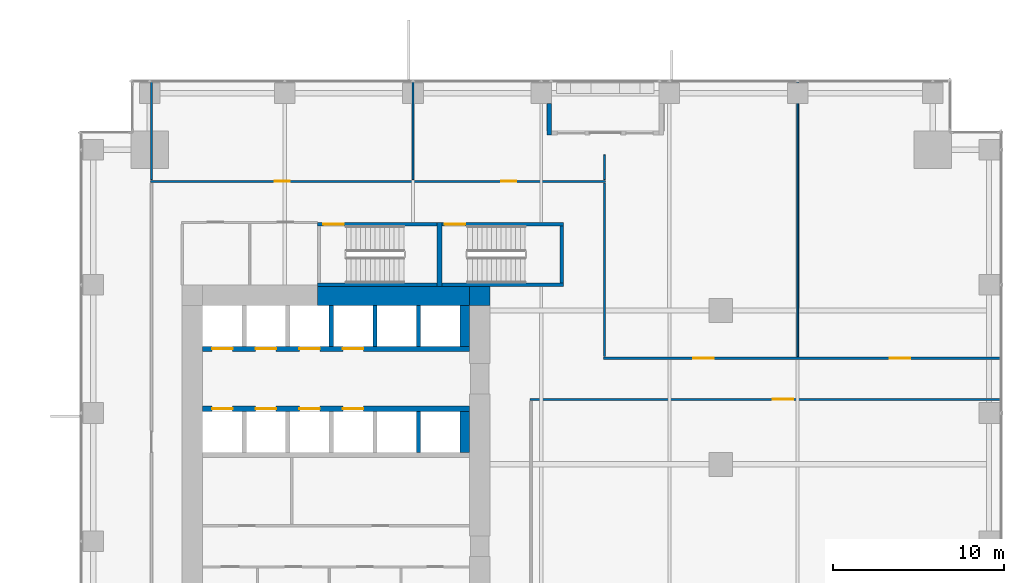
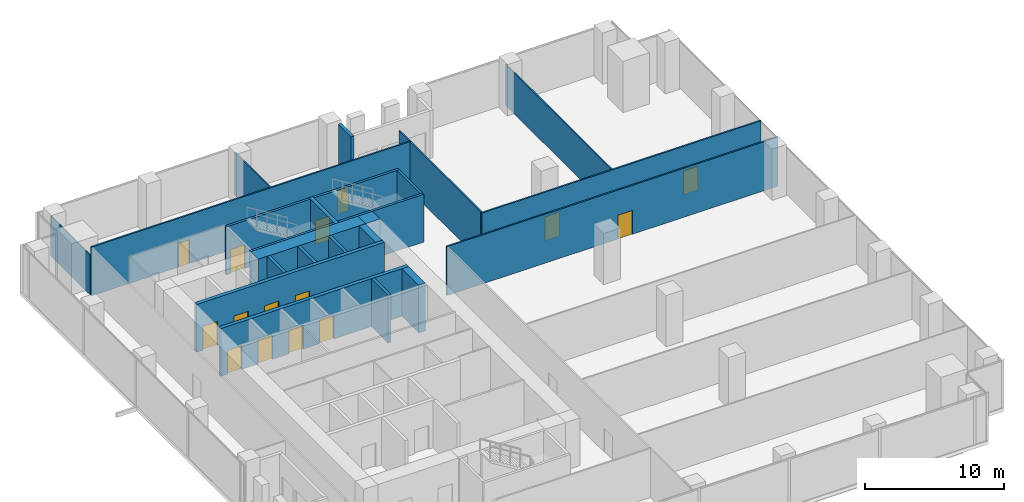
# One storey, part 29 of 33: 25 walls, 15 doors, 15 openings.
"""IFC4 building model written with IfcOpenShell, lengths in metres."""

import ifcopenshell
import ifcopenshell.guid

model = None  # the IFC model being written
_history = None  # IfcOwnerHistory: only IFC2X3 demands one
_inside = {}  # id of a spatial element -> (the spatial element, [elements in it])
_under = {}  # id of a project, library or spatial element -> (it, [spatial elements below it])
_declared = {}  # id of a project -> (the project, [libraries it declares])
_typed = {}  # id of a type object -> (the type object, [elements of that type])
_made_of = {}  # id of a material, layer set ... -> (it, [elements and type objects made of it])


def new_model(schema):
    """Start an empty IFC model of exactly this schema.

    Asked for "IFC4X3", IfcOpenShell would pick the latest addendum, in which some entities
    have other attributes; the version numbers below select the first issue.
    IFC2X3 requires an IfcOwnerHistory on every rooted entity: one is made here for all.
    """
    global model, _history
    if schema == "IFC4X3":
        model = ifcopenshell.file(schema_version=(4, 3, 0, 0))
    else:
        model = ifcopenshell.file(schema=schema)
    _inside.clear()
    _under.clear()
    _declared.clear()
    _typed.clear()
    _made_of.clear()
    _history = None
    if model.schema == "IFC2X3":
        org = make("IfcOrganization", Name="unknown")
        user = make(
            "IfcPersonAndOrganization",
            ThePerson=make("IfcPerson", FamilyName="unknown"),
            TheOrganization=org,
        )
        app = make(
            "IfcApplication",
            ApplicationDeveloper=org,
            Version="unknown",
            ApplicationFullName="unknown",
            ApplicationIdentifier="unknown",
        )
        _history = make(
            "IfcOwnerHistory",
            OwningUser=user,
            OwningApplication=app,
            ChangeAction="ADDED",
            CreationDate=0,
        )
    return model


def make(cls, **values):
    """One entity of the class cls with the attributes given. An attribute that is None is left unset."""
    return model.create_entity(
        cls, **{name: value for name, value in values.items() if value is not None}
    )


def rooted(cls, **values):
    """An entity with a GlobalId (a new one), such as an element, a storey or a relation."""
    return make(cls, GlobalId=ifcopenshell.guid.new(), OwnerHistory=_history, **values)


def si_unit(unit_type, name, prefix=None):
    """IfcSIUnit, for example si_unit("LENGTHUNIT", "METRE", prefix="MILLI")."""
    return make("IfcSIUnit", UnitType=unit_type, Prefix=prefix, Name=name)


def assignment(units):
    """IfcUnitAssignment: the units of a project."""
    return None if units is None else make("IfcUnitAssignment", Units=units)


def point(xyz):
    """IfcCartesianPoint."""
    return None if xyz is None else make("IfcCartesianPoint", Coordinates=xyz)


def direction(xyz):
    """IfcDirection."""
    return None if xyz is None else make("IfcDirection", DirectionRatios=xyz)


def frame(location, z_axis=None, x_axis=None):
    """IfcAxis2Placement3D, a coordinate frame: its origin and axes. An axis left out is left unset."""
    return make(
        "IfcAxis2Placement3D",
        Location=point(location),
        Axis=direction(z_axis),
        RefDirection=direction(x_axis),
    )


def frame_2d(location, x_axis=None):
    """IfcAxis2Placement2D, a coordinate frame in the plane: its origin and x axis."""
    return make(
        "IfcAxis2Placement2D", Location=point(location), RefDirection=direction(x_axis)
    )


def origin():
    """The frame at (0, 0, 0) with its axes left unset."""
    return frame((0.0, 0.0, 0.0))


def place(relative_to, where):
    """IfcLocalPlacement: puts the frame where relative to a parent placement (None: the world)."""
    return make(
        "IfcLocalPlacement", PlacementRelTo=relative_to, RelativePlacement=where
    )


def context(
    kind, dimensions, precision=None, world=None, true_north=None, identifier=None
):
    """IfcGeometricRepresentationContext, for example the 3D "Model" context."""
    return make(
        "IfcGeometricRepresentationContext",
        ContextIdentifier=identifier,
        ContextType=kind,
        CoordinateSpaceDimension=dimensions,
        Precision=precision,
        WorldCoordinateSystem=world,
        TrueNorth=true_north,
    )


def subcontext(parent, identifier, kind, view, scale=None):
    """IfcGeometricRepresentationSubContext, for example "Body" below "Model"."""
    return make(
        "IfcGeometricRepresentationSubContext",
        ContextIdentifier=identifier,
        ContextType=kind,
        ParentContext=parent,
        TargetScale=scale,
        TargetView=view,
    )


def project(units=None, contexts=None):
    """IfcProject with its units and contexts."""
    return rooted(
        "IfcProject",
        Name="project",
        RepresentationContexts=contexts,
        UnitsInContext=assignment(units),
    )


def spatial(cls, under=None, at=None, **own):
    """A site, building, storey or space (cls), placed at a placement, below another one or the project."""
    s = rooted(cls, ObjectPlacement=at, **own)
    if under is not None:
        _under.setdefault(under.id(), (under, []))[1].append(s)
    return s


def profile(cls, at=None, kind="AREA", **sizes):
    """A parametric profile (cls). Its sizes go by their IFC names, for example OverallWidth=200.0."""
    return make(cls, ProfileType=kind, Position=at, **sizes)


def rectangle(**sizes):
    """IfcRectangleProfileDef."""
    return profile("IfcRectangleProfileDef", **sizes)


def extrude(swept, where, along, depth):
    """IfcExtrudedAreaSolid: the profile swept, set in the frame where, extruded along a direction by depth."""
    return make(
        "IfcExtrudedAreaSolid",
        SweptArea=swept,
        Position=where,
        ExtrudedDirection=direction(along),
        Depth=depth,
    )


def shape(context_of_items, identifier, shape_type, items):
    """IfcShapeRepresentation: the items that make up one representation, for example the "Body"."""
    return make(
        "IfcShapeRepresentation",
        ContextOfItems=context_of_items,
        RepresentationIdentifier=identifier,
        RepresentationType=shape_type,
        Items=items,
    )


def source(mapping_origin, context_of_items, identifier, shape_type, items):
    """IfcRepresentationMap: a shape defined once, which mapped items show again and again."""
    return make(
        "IfcRepresentationMap",
        MappingOrigin=mapping_origin,
        MappedRepresentation=shape(context_of_items, identifier, shape_type, items),
    )


def transform(
    local_origin,
    x_axis=None,
    y_axis=None,
    z_axis=None,
    scale=None,
    scale2=None,
    scale3=None,
    uniform=True,
):
    """IfcCartesianTransformationOperator3D, or its non-uniform kind. x_axis, y_axis, z_axis: its Axis1, 2, 3."""
    if uniform:
        return make(
            "IfcCartesianTransformationOperator3D",
            Axis1=direction(x_axis),
            Axis2=direction(y_axis),
            LocalOrigin=point(local_origin),
            Scale=scale,
            Axis3=direction(z_axis),
        )
    return make(
        "IfcCartesianTransformationOperator3DnonUniform",
        Axis1=direction(x_axis),
        Axis2=direction(y_axis),
        LocalOrigin=point(local_origin),
        Scale=scale,
        Axis3=direction(z_axis),
        Scale2=scale2,
        Scale3=scale3,
    )


def mapped(mapping_source, mapping_target):
    """IfcMappedItem: shows the shape of a source again, moved by a transform."""
    return make(
        "IfcMappedItem", MappingSource=mapping_source, MappingTarget=mapping_target
    )


def material(Name=None, Category=None):
    """IfcMaterial."""
    return make("IfcMaterial", Name=Name, Category=Category)


def layer(
    of_material, thickness, ventilated=None, Name=None, Category=None, Priority=None
):
    """IfcMaterialLayer: one layer of a wall or slab, of a material (None: an air gap)."""
    return make(
        "IfcMaterialLayer",
        Material=of_material,
        LayerThickness=thickness,
        IsVentilated=ventilated,
        Name=Name,
        Category=Category,
        Priority=Priority,
    )


def layer_set(layers, Name=None):
    """IfcMaterialLayerSet."""
    return make("IfcMaterialLayerSet", MaterialLayers=layers, LayerSetName=Name)


def made_of(thing, what):
    """Note that an element or type object is made of a material, layer set ...; save() writes the relation."""
    if what is not None:
        _made_of.setdefault(what.id(), (what, []))[1].append(thing)
    return thing


def type_object(cls, material=None, **own):
    """A type object (cls), such as IfcWallType, which elements share."""
    return made_of(rooted(cls, **own), material)


def element(
    cls,
    number,
    at=None,
    inside=None,
    cuts=None,
    type_object=None,
    material=None,
    context=None,
    identifier="Body",
    shape_type=None,
    held_by="IfcProductDefinitionShape",
    body=None,
    shapes=None,
    **own,
):
    """One element of the class cls, such as IfcWall. Its Tag is "e" and its number.

    at: its placement. inside: the storey or other place that contains it. cuts: it is an
    opening in that element (IfcRelVoidsElement). A single representation is given by context,
    identifier, shape_type and body (its items); several are given by shapes. held_by: the class
    of the entity that holds the representations. save() writes the other relations.
    """
    e = rooted(cls, Tag="e%d" % number, ObjectPlacement=at, **own)
    if body is not None:
        shapes = [shape(context, identifier, shape_type, body)]
    if shapes is not None:
        e.Representation = make(held_by, Representations=shapes)
    if inside is not None:
        _inside.setdefault(inside.id(), (inside, []))[1].append(e)
    if cuts is not None:
        rooted(
            "IfcRelVoidsElement", RelatingBuildingElement=cuts, RelatedOpeningElement=e
        )
    if type_object is not None:
        _typed.setdefault(type_object.id(), (type_object, []))[1].append(e)
    return made_of(e, material)


def fill(opening, filler):
    """IfcRelFillsElement: the door or window that sits in an opening."""
    return rooted(
        "IfcRelFillsElement",
        RelatingOpeningElement=opening,
        RelatedBuildingElement=filler,
    )


def aggregate(whole, parts):
    """IfcRelAggregates: a whole, such as a stair, and the parts it consists of."""
    return rooted("IfcRelAggregates", RelatingObject=whole, RelatedObjects=parts)


def save(model, path):
    """Write the relations noted so far, then the file.

    IfcRelAggregates (storeys below a building ...), IfcRelContainedInSpatialStructure (elements
    in a storey), IfcRelDefinesByType, IfcRelAssociatesMaterial and IfcRelDeclares: one each for
    every whole, place, type object, material and project.
    """
    for whole, parts in _under.values():
        aggregate(whole, parts)
    for where, things in _inside.values():
        rooted(
            "IfcRelContainedInSpatialStructure",
            RelatedElements=things,
            RelatingStructure=where,
        )
    for kind, things in _typed.values():
        rooted("IfcRelDefinesByType", RelatedObjects=things, RelatingType=kind)
    for what, things in _made_of.values():
        rooted("IfcRelAssociatesMaterial", RelatedObjects=things, RelatingMaterial=what)
    for by, libraries in _declared.values():
        rooted("IfcRelDeclares", RelatingContext=by, RelatedDefinitions=libraries)
    model.write(path)


model = new_model("IFC4")

# Units and contexts
model_context = context("Model", 3, precision=1e-05, world=origin(), true_north=direction((0.0, 1.0)))
body_context = subcontext(model_context, "Body", "Model", "MODEL_VIEW")
ifc_project = project(units=[si_unit("LENGTHUNIT", "METRE"), si_unit("AREAUNIT", "SQUARE_METRE"), si_unit("VOLUMEUNIT", "CUBIC_METRE"), si_unit("PLANEANGLEUNIT", "RADIAN"), si_unit("MASSUNIT", "GRAM", prefix="KILO")], contexts=[model_context])

# Site, building, storey
site_placement = place(None, origin())
site = spatial("IfcSite", under=ifc_project, at=site_placement, CompositionType="ELEMENT")
building_placement = place(site_placement, origin())
building = spatial("IfcBuilding", under=site, at=building_placement, Name="Khomas Fold Tower", CompositionType="ELEMENT")
storey_placement = place(building_placement, frame((0.0, 0.0, 91.5)))
storey = spatial("IfcBuildingStorey", under=building, at=storey_placement, Name="L19", CompositionType="ELEMENT", Elevation=91.5)

# Walls
ifc_material_1 = material(Name="Concrete C70/85", Category="concrete")
ifc_layer_1 = layer(ifc_material_1, 1.10009765625)
ifc_layer_set_1 = layer_set([ifc_layer_1], Name="Concrete C70/85")
wall_type_1 = type_object("IfcWallType", Name="Core wall 1100", PredefinedType="SHEAR", material=ifc_layer_set_1)
shared_shape_1 = source(origin(), body_context, "Body", "SweptSolid", [
    extrude(rectangle(XDim=8.900146484375, YDim=1.10009765625, at=frame_2d((4.4501953125, 0.0))), origin(), (0.0, 0.0, 1.0), 4.199951171875),
])
wall_1_placement = place(storey_placement, frame((13.89990234375, 41.35009765625, 0.0), z_axis=(0.0, 0.0, 1.0), x_axis=(1.0, 0.0, 0.0)))
element("IfcWall", 1, at=wall_1_placement, inside=storey, type_object=wall_type_1, Name="Core wall CW-L-N-B2-1", PredefinedType="SHEAR", context=body_context, shape_type="MappedRepresentation", body=[
    mapped(shared_shape_1, transform((0.0, 0.0, 0.0))),
])
ifc_material_2 = material(Name="Concrete C70/85", Category="concrete")
ifc_layer_2 = layer(ifc_material_2, 1.10009765625)
ifc_layer_set_2 = layer_set([ifc_layer_2], Name="Concrete C70/85")
wall_type_2 = type_object("IfcWallType", Name="Core corner wall 1100", PredefinedType="SHEAR", material=ifc_layer_set_2)
shared_shape_2 = source(origin(), body_context, "Body", "SweptSolid", [
    extrude(rectangle(XDim=1.199951171875, YDim=1.10009765625, at=frame_2d((0.60009765625, 0.0))), origin(), (0.0, 0.0, 1.0), 4.199951171875),
])
wall_2_placement = place(storey_placement, frame((22.800048828125, 41.35009765625, 0.0), z_axis=(0.0, 0.0, 1.0), x_axis=(1.0, 0.0, 0.0)))
element("IfcWall", 2, at=wall_2_placement, inside=storey, type_object=wall_type_2, Name="Core wall CW-L-NE-B2", PredefinedType="SHEAR", context=body_context, shape_type="MappedRepresentation", body=[
    mapped(shared_shape_2, transform((0.0, 0.0, 0.0))),
])

# Wall, opening, door
ifc_material_3 = material(Name="Concrete C50/60", Category="concrete")
ifc_layer_3 = layer(ifc_material_3, 0.199951171875)
ifc_layer_set_3 = layer_set([ifc_layer_3], Name="Concrete C50/60")
wall_type_3 = type_object("IfcWallType", Name="Stair wall 200", PredefinedType="SHEAR", material=ifc_layer_set_3)
shared_shape_3 = source(origin(), body_context, "Body", "SweptSolid", [
    extrude(rectangle(XDim=7.0, YDim=0.199951171875, at=frame_2d((3.5, 0.0))), origin(), (0.0, 0.0, 1.0), 4.199951171875),
])
wall_3_placement = place(storey_placement, frame((13.89990234375, 45.550048828125, 0.0), z_axis=(0.0, 0.0, 1.0), x_axis=(1.0, 0.0, 0.0)))
wall_3 = element("IfcWall", 3, at=wall_3_placement, inside=storey, type_object=wall_type_3, Name="Stair wall SW-ST1-N", PredefinedType="SHEAR", context=body_context, shape_type="MappedRepresentation", body=[
    mapped(shared_shape_3, transform((0.0, 0.0, 0.0))),
])
shared_shape_4 = source(origin(), body_context, "Body", "SweptSolid", [
    extrude(rectangle(XDim=1.199951171875, YDim=2.10009765625, at=frame_2d((0.60009765625, 1.050048828125))), frame((0.0, 0.10986328125, 0.0), z_axis=(0.0, -1.0, 0.0), x_axis=(1.0, 0.0, 0.0)), (0.0, 0.0, 1.0), 0.219970703125),
])
opening_1_placement = place(wall_3_placement, frame((0.35009765625, 0.0, 0.0)))
opening_1 = element("IfcOpeningElement", 4, at=opening_1_placement, cuts=wall_3, Name="Opening SD-ST1", PredefinedType="OPENING", context=body_context, shape_type="MappedRepresentation", body=[
    mapped(shared_shape_4, transform((0.0, 0.0, 0.0))),
])
ifc_material_4 = material(Name="Steel door leaf", Category="steel")
door_type_1 = type_object("IfcDoorType", Name="Stair door 1200x2100 left-hand", OperationType="SINGLE_SWING_LEFT", PredefinedType="DOOR", material=ifc_material_4)
shared_shape_5 = source(origin(), body_context, "Body", "SweptSolid", [
    extrude(rectangle(XDim=1.199951171875, YDim=2.10009765625, at=frame_2d((0.60009765625, 1.050048828125))), frame((0.0, 0.02490234375, 0.0), z_axis=(0.0, -1.0, 0.0), x_axis=(1.0, 0.0, 0.0)), (0.0, 0.0, 1.0), 0.050048828125),
])
door_1_placement = place(opening_1_placement, origin())
door_1 = element("IfcDoor", 5, at=door_1_placement, inside=storey, type_object=door_type_1, Name="Stair door", OperationType="SINGLE_SWING_LEFT", OverallHeight=2.10009765625, OverallWidth=1.199951171875, PredefinedType="DOOR", context=body_context, shape_type="MappedRepresentation", body=[
    mapped(shared_shape_5, transform((0.0, 0.0, 0.0))),
])
fill(opening_1, door_1)

# Wall
wall_4_placement = place(storey_placement, frame((13.89990234375, 42.0, 0.0), z_axis=(0.0, 0.0, 1.0), x_axis=(1.0, 0.0, 0.0)))
element("IfcWall", 6, at=wall_4_placement, inside=storey, type_object=wall_type_3, Name="Stair wall SW-ST1-S", PredefinedType="SHEAR", context=body_context, shape_type="MappedRepresentation", body=[
    mapped(shared_shape_3, transform((0.0, 0.0, 0.0))),
])

# Wall, opening, door
shared_shape_6 = source(origin(), body_context, "Body", "SweptSolid", [
    extrude(rectangle(XDim=7.10009765625, YDim=0.199951171875, at=frame_2d((3.550048828125, 0.0))), origin(), (0.0, 0.0, 1.0), 4.199951171875),
])
wall_5_placement = place(storey_placement, frame((21.199951171875, 45.550048828125, 0.0), z_axis=(0.0, 0.0, 1.0), x_axis=(1.0, 0.0, 0.0)))
wall_5 = element("IfcWall", 7, at=wall_5_placement, inside=storey, type_object=wall_type_3, Name="Stair wall SW-ST3-N", PredefinedType="SHEAR", context=body_context, shape_type="MappedRepresentation", body=[
    mapped(shared_shape_6, transform((0.0, 0.0, 0.0))),
])
opening_2_placement = place(wall_5_placement, frame((0.14990234375, 0.0, 0.0)))
opening_2 = element("IfcOpeningElement", 8, at=opening_2_placement, cuts=wall_5, Name="Opening SD-ST3", PredefinedType="OPENING", context=body_context, shape_type="MappedRepresentation", body=[
    mapped(shared_shape_4, transform((0.0, 0.0, 0.0))),
])
door_2_placement = place(opening_2_placement, origin())
door_2 = element("IfcDoor", 9, at=door_2_placement, inside=storey, type_object=door_type_1, Name="Stair door", OperationType="SINGLE_SWING_LEFT", OverallHeight=2.10009765625, OverallWidth=1.199951171875, PredefinedType="DOOR", context=body_context, shape_type="MappedRepresentation", body=[
    mapped(shared_shape_5, transform((0.0, 0.0, 0.0))),
])
fill(opening_2, door_2)

# Walls
wall_6_placement = place(storey_placement, frame((21.199951171875, 42.0, 0.0), z_axis=(0.0, 0.0, 1.0), x_axis=(1.0, 0.0, 0.0)))
element("IfcWall", 10, at=wall_6_placement, inside=storey, type_object=wall_type_3, Name="Stair wall SW-ST3-S", PredefinedType="SHEAR", context=body_context, shape_type="MappedRepresentation", body=[
    mapped(shared_shape_6, transform((0.0, 0.0, 0.0))),
])
ifc_material_5 = material(Name="Concrete C50/60", Category="concrete")
ifc_layer_4 = layer(ifc_material_5, 0.300048828125)
ifc_layer_set_4 = layer_set([ifc_layer_4], Name="Concrete C50/60")
wall_type_4 = type_object("IfcWallType", Name="Stair wall 300", PredefinedType="SHEAR", material=ifc_layer_set_4)
shared_shape_7 = source(origin(), body_context, "Body", "SweptSolid", [
    extrude(rectangle(XDim=3.75, YDim=0.300048828125, at=frame_2d((1.875, 0.0))), origin(), (0.0, 0.0, 1.0), 4.199951171875),
])
wall_7_placement = place(storey_placement, frame((21.050048828125, 41.89990234375, 0.0), z_axis=(0.0, 0.0, 1.0), x_axis=(0.0, 1.0, 0.0)))
element("IfcWall", 11, at=wall_7_placement, inside=storey, type_object=wall_type_4, Name="Stair wall SW-ST1-E", PredefinedType="SHEAR", context=body_context, shape_type="MappedRepresentation", body=[
    mapped(shared_shape_7, transform((0.0, 0.0, 0.0))),
])
shared_shape_8 = source(origin(), body_context, "Body", "SweptSolid", [
    extrude(rectangle(XDim=3.349853515625, YDim=0.199951171875, at=frame_2d((1.6748046875, 0.0))), origin(), (0.0, 0.0, 1.0), 4.199951171875),
])
wall_8_placement = place(storey_placement, frame((28.199951171875, 42.10009765625, 0.0), z_axis=(0.0, 0.0, 1.0), x_axis=(0.0, 1.0, 0.0)))
element("IfcWall", 12, at=wall_8_placement, inside=storey, type_object=wall_type_3, Name="Stair wall SW-ST3-E", PredefinedType="SHEAR", context=body_context, shape_type="MappedRepresentation", body=[
    mapped(shared_shape_8, transform((0.0, 0.0, 0.0))),
])

# Wall, openings, doors
ifc_material_6 = material(Name="Concrete C50/60", Category="concrete")
ifc_layer_5 = layer(ifc_material_6, 0.300048828125)
ifc_layer_set_5 = layer_set([ifc_layer_5], Name="Concrete C50/60")
wall_type_5 = type_object("IfcWallType", Name="Shaft wall 300", PredefinedType="STANDARD", material=ifc_layer_set_5)
shared_shape_9 = source(origin(), body_context, "Body", "SweptSolid", [
    extrude(rectangle(XDim=15.60009765625, YDim=0.300048828125, at=frame_2d((7.800048828125, 0.0))), origin(), (0.0, 0.0, 1.0), 4.199951171875),
])
wall_9_placement = place(storey_placement, frame((7.199951171875, 38.25, 0.0), z_axis=(0.0, 0.0, 1.0), x_axis=(1.0, 0.0, 0.0)))
wall_9 = element("IfcWall", 13, at=wall_9_placement, inside=storey, type_object=wall_type_5, Name="Core wall SW-LRN-F", PredefinedType="STANDARD", context=body_context, shape_type="MappedRepresentation", body=[
    mapped(shared_shape_9, transform((0.0, 0.0, 0.0))),
])
shared_shape_10 = source(origin(), body_context, "Body", "SweptSolid", [
    extrude(rectangle(XDim=1.199951171875, YDim=2.10009765625, at=frame_2d((0.60009765625, 1.050048828125))), frame((0.0, 0.159912109375, 0.0), z_axis=(0.0, -1.0, 0.0), x_axis=(1.0, 0.0, 0.0)), (0.0, 0.0, 1.0), 0.320068359375),
])
opening_3_placement = place(wall_9_placement, frame((0.550048828125, 0.0, 0.0)))
opening_3 = element("IfcOpeningElement", 14, at=opening_3_placement, cuts=wall_9, Name="Opening LD-LR5", PredefinedType="OPENING", context=body_context, shape_type="MappedRepresentation", body=[
    mapped(shared_shape_10, transform((0.0, 0.0, 0.0))),
])
opening_4_placement = place(wall_9_placement, frame((3.10009765625, 0.0, 0.0)))
opening_4 = element("IfcOpeningElement", 15, at=opening_4_placement, cuts=wall_9, Name="Opening LD-LR6", PredefinedType="OPENING", context=body_context, shape_type="MappedRepresentation", body=[
    mapped(shared_shape_10, transform((0.0, 0.0, 0.0))),
])
opening_5_placement = place(wall_9_placement, frame((5.64990234375, 0.0, 0.0)))
opening_5 = element("IfcOpeningElement", 16, at=opening_5_placement, cuts=wall_9, Name="Opening LD-LR7", PredefinedType="OPENING", context=body_context, shape_type="MappedRepresentation", body=[
    mapped(shared_shape_10, transform((0.0, 0.0, 0.0))),
])
opening_6_placement = place(wall_9_placement, frame((8.199951171875, 0.0, 0.0)))
opening_6 = element("IfcOpeningElement", 17, at=opening_6_placement, cuts=wall_9, Name="Opening LD-LR8", PredefinedType="OPENING", context=body_context, shape_type="MappedRepresentation", body=[
    mapped(shared_shape_10, transform((0.0, 0.0, 0.0))),
])
ifc_material_7 = material(Name="Steel door leaf", Category="steel")
door_type_2 = type_object("IfcDoorType", Name="Landing door 1200x2100", OperationType="DOUBLE_DOOR_SLIDING", PredefinedType="DOOR", material=ifc_material_7)
door_3_placement = place(opening_3_placement, origin())
door_3 = element("IfcDoor", 18, at=door_3_placement, inside=storey, type_object=door_type_2, Name="Lift landing door", OperationType="DOUBLE_DOOR_SLIDING", OverallHeight=2.10009765625, OverallWidth=1.199951171875, PredefinedType="DOOR", context=body_context, shape_type="MappedRepresentation", body=[
    mapped(shared_shape_5, transform((0.0, 0.0, 0.0))),
])
fill(opening_3, door_3)
door_4_placement = place(opening_4_placement, origin())
door_4 = element("IfcDoor", 19, at=door_4_placement, inside=storey, type_object=door_type_2, Name="Lift landing door", OperationType="DOUBLE_DOOR_SLIDING", OverallHeight=2.10009765625, OverallWidth=1.199951171875, PredefinedType="DOOR", context=body_context, shape_type="MappedRepresentation", body=[
    mapped(shared_shape_5, transform((0.0, 0.0, 0.0))),
])
fill(opening_4, door_4)
door_5_placement = place(opening_5_placement, origin())
door_5 = element("IfcDoor", 20, at=door_5_placement, inside=storey, type_object=door_type_2, Name="Lift landing door", OperationType="DOUBLE_DOOR_SLIDING", OverallHeight=2.10009765625, OverallWidth=1.199951171875, PredefinedType="DOOR", context=body_context, shape_type="MappedRepresentation", body=[
    mapped(shared_shape_5, transform((0.0, 0.0, 0.0))),
])
fill(opening_5, door_5)
door_6_placement = place(opening_6_placement, origin())
door_6 = element("IfcDoor", 21, at=door_6_placement, inside=storey, type_object=door_type_2, Name="Lift landing door", OperationType="DOUBLE_DOOR_SLIDING", OverallHeight=2.10009765625, OverallWidth=1.199951171875, PredefinedType="DOOR", context=body_context, shape_type="MappedRepresentation", body=[
    mapped(shared_shape_5, transform((0.0, 0.0, 0.0))),
])
fill(opening_6, door_6)

wall_10_placement = place(storey_placement, frame((7.199951171875, 34.75, 0.0), z_axis=(0.0, 0.0, 1.0), x_axis=(1.0, 0.0, 0.0)))
wall_10 = element("IfcWall", 22, at=wall_10_placement, inside=storey, type_object=wall_type_5, Name="Core wall SW-LRS-F", PredefinedType="STANDARD", context=body_context, shape_type="MappedRepresentation", body=[
    mapped(shared_shape_9, transform((0.0, 0.0, 0.0))),
])
opening_7_placement = place(wall_10_placement, frame((0.550048828125, 0.0, 0.0)))
opening_7 = element("IfcOpeningElement", 23, at=opening_7_placement, cuts=wall_10, Name="Opening LD-LR1", PredefinedType="OPENING", context=body_context, shape_type="MappedRepresentation", body=[
    mapped(shared_shape_10, transform((0.0, 0.0, 0.0))),
])
opening_8_placement = place(wall_10_placement, frame((3.10009765625, 0.0, 0.0)))
opening_8 = element("IfcOpeningElement", 24, at=opening_8_placement, cuts=wall_10, Name="Opening LD-LR2", PredefinedType="OPENING", context=body_context, shape_type="MappedRepresentation", body=[
    mapped(shared_shape_10, transform((0.0, 0.0, 0.0))),
])
opening_9_placement = place(wall_10_placement, frame((5.64990234375, 0.0, 0.0)))
opening_9 = element("IfcOpeningElement", 25, at=opening_9_placement, cuts=wall_10, Name="Opening LD-LR3", PredefinedType="OPENING", context=body_context, shape_type="MappedRepresentation", body=[
    mapped(shared_shape_10, transform((0.0, 0.0, 0.0))),
])
opening_10_placement = place(wall_10_placement, frame((8.199951171875, 0.0, 0.0)))
opening_10 = element("IfcOpeningElement", 26, at=opening_10_placement, cuts=wall_10, Name="Opening LD-LR4", PredefinedType="OPENING", context=body_context, shape_type="MappedRepresentation", body=[
    mapped(shared_shape_10, transform((0.0, 0.0, 0.0))),
])
door_7_placement = place(opening_7_placement, origin())
door_7 = element("IfcDoor", 27, at=door_7_placement, inside=storey, type_object=door_type_2, Name="Lift landing door", OperationType="DOUBLE_DOOR_SLIDING", OverallHeight=2.10009765625, OverallWidth=1.199951171875, PredefinedType="DOOR", context=body_context, shape_type="MappedRepresentation", body=[
    mapped(shared_shape_5, transform((0.0, 0.0, 0.0))),
])
fill(opening_7, door_7)
door_8_placement = place(opening_8_placement, origin())
door_8 = element("IfcDoor", 28, at=door_8_placement, inside=storey, type_object=door_type_2, Name="Lift landing door", OperationType="DOUBLE_DOOR_SLIDING", OverallHeight=2.10009765625, OverallWidth=1.199951171875, PredefinedType="DOOR", context=body_context, shape_type="MappedRepresentation", body=[
    mapped(shared_shape_5, transform((0.0, 0.0, 0.0))),
])
fill(opening_8, door_8)
door_9_placement = place(opening_9_placement, origin())
door_9 = element("IfcDoor", 29, at=door_9_placement, inside=storey, type_object=door_type_2, Name="Lift landing door", OperationType="DOUBLE_DOOR_SLIDING", OverallHeight=2.10009765625, OverallWidth=1.199951171875, PredefinedType="DOOR", context=body_context, shape_type="MappedRepresentation", body=[
    mapped(shared_shape_5, transform((0.0, 0.0, 0.0))),
])
fill(opening_9, door_9)
door_10_placement = place(opening_10_placement, origin())
door_10 = element("IfcDoor", 30, at=door_10_placement, inside=storey, type_object=door_type_2, Name="Lift landing door", OperationType="DOUBLE_DOOR_SLIDING", OverallHeight=2.10009765625, OverallWidth=1.199951171875, PredefinedType="DOOR", context=body_context, shape_type="MappedRepresentation", body=[
    mapped(shared_shape_5, transform((0.0, 0.0, 0.0))),
])
fill(opening_10, door_10)

# Walls
ifc_material_8 = material(Name="Concrete C50/60", Category="concrete")
ifc_layer_6 = layer(ifc_material_8, 0.25)
ifc_layer_set_6 = layer_set([ifc_layer_6], Name="Concrete C50/60")
wall_type_6 = type_object("IfcWallType", Name="Shaft wall 250", PredefinedType="STANDARD", material=ifc_layer_set_6)
shared_shape_11 = source(origin(), body_context, "Body", "SweptSolid", [
    extrude(rectangle(XDim=2.400146484375, YDim=0.25, at=frame_2d((1.2001953125, 0.0))), origin(), (0.0, 0.0, 1.0), 4.199951171875),
])
for number, where, z_axis, x_axis, name in (
    (31, (14.72509765625, 38.39990234375, 0.0), (0.0, 0.0, 1.0), (0.0, 1.0, 0.0), "Core wall SW-LRN-P3"),
    (32, (17.27490234375, 38.39990234375, 0.0), (0.0, 0.0, 1.0), (0.0, 1.0, 0.0), "Core wall SW-LRN-P4"),
    (33, (19.824951171875, 38.39990234375, 0.0), (0.0, 0.0, 1.0), (0.0, 1.0, 0.0), "Core wall SW-LRN-P5"),
    (34, (19.824951171875, 32.199951171875, 0.0), (0.0, 0.0, 1.0), (0.0, 1.0, 0.0), "Core wall SW-LRS-P5"),
):
    element("IfcWall", number, at=place(storey_placement, frame(where, z_axis=z_axis, x_axis=x_axis)), inside=storey, type_object=wall_type_6, Name=name, PredefinedType="STANDARD", context=body_context, shape_type="MappedRepresentation", body=[
        mapped(shared_shape_11, transform((0.0, 0.0, 0.0))),
    ])
ifc_material_9 = material(Name="Concrete C50/60", Category="concrete")
ifc_layer_7 = layer(ifc_material_9, 0.550048828125)
ifc_layer_set_7 = layer_set([ifc_layer_7], Name="Concrete C50/60")
wall_type_7 = type_object("IfcWallType", Name="Shaft wall 550", PredefinedType="STANDARD", material=ifc_layer_set_7)
shared_shape_12 = source(origin(), body_context, "Body", "SweptSolid", [
    extrude(rectangle(XDim=2.400146484375, YDim=0.550048828125, at=frame_2d((1.2001953125, 0.0))), origin(), (0.0, 0.0, 1.0), 4.199951171875),
])
for number, where, z_axis, x_axis, name in (
    (35, (22.52490234375, 38.39990234375, 0.0), (0.0, 0.0, 1.0), (0.0, 1.0, 0.0), "Core wall SW-LRN-PE"),
    (36, (22.52490234375, 32.199951171875, 0.0), (0.0, 0.0, 1.0), (0.0, 1.0, 0.0), "Core wall SW-LRS-PE"),
):
    element("IfcWall", number, at=place(storey_placement, frame(where, z_axis=z_axis, x_axis=x_axis)), inside=storey, type_object=wall_type_7, Name=name, PredefinedType="STANDARD", context=body_context, shape_type="MappedRepresentation", body=[
        mapped(shared_shape_12, transform((0.0, 0.0, 0.0))),
    ])
ifc_material_10 = material(Name="Natural stone", Category="masonry")
ifc_layer_8 = layer(ifc_material_10, 0.0400390625)
ifc_material_11 = material(Name="Mineral wool insulation", Category="insulation")
ifc_layer_9 = layer(ifc_material_11, 0.10009765625)
ifc_material_12 = material(Name="Masonry", Category="masonry")
ifc_layer_10 = layer(ifc_material_12, 0.110107421875)
ifc_layer_set_8 = layer_set([ifc_layer_8, ifc_layer_9, ifc_layer_10], Name="Stone-faced insulated masonry")
wall_type_8 = type_object("IfcWallType", Name="BL-Balcony wall", PredefinedType="SOLIDWALL", material=ifc_layer_set_8)
shared_shape_13 = source(origin(), body_context, "Body", "SweptSolid", [
    extrude(rectangle(XDim=1.85009765625, YDim=0.25, at=frame_2d((0.925048828125, 0.0))), origin(), (0.0, 0.0, 1.0), 4.199951171875),
])
wall_11_placement = place(storey_placement, frame((27.47509765625, 52.60009765625, 0.0), z_axis=(0.0, 0.0, 1.0), x_axis=(0.0, -1.0, 0.0)))
element("IfcWall", 37, at=wall_11_placement, inside=storey, type_object=wall_type_8, Name="Balcony return wall BAL-L19-N3-lo", PredefinedType="SOLIDWALL", context=body_context, shape_type="MappedRepresentation", body=[
    mapped(shared_shape_13, transform((0.0, 0.0, 0.0))),
])

# Wall, opening, door
ifc_material_13 = material(Name="Plasterboard partition")
ifc_layer_11 = layer(ifc_material_13, 0.125)
ifc_layer_set_9 = layer_set([ifc_layer_11], Name="Plasterboard partition")
wall_type_9 = type_object("IfcWallType", Name="Partition PW2 125", PredefinedType="PARTITIONING", material=ifc_layer_set_9)
shared_shape_14 = source(origin(), body_context, "Body", "SweptSolid", [
    extrude(rectangle(XDim=27.5, YDim=0.125, at=frame_2d((13.75, 0.0))), origin(), (0.0, 0.0, 1.0), 4.300048828125),
])
wall_12_placement = place(storey_placement, frame((26.35009765625, 35.300048828125, 0.0), z_axis=(0.0, 0.0, 1.0), x_axis=(1.0, 0.0, 0.0)))
wall_12 = element("IfcWall", 38, at=wall_12_placement, inside=storey, type_object=wall_type_9, Name="Partition", PredefinedType="PARTITIONING", context=body_context, shape_type="MappedRepresentation", body=[
    mapped(shared_shape_14, transform((0.0, 0.0, 0.0))),
])
shared_shape_15 = source(origin(), body_context, "Body", "SweptSolid", [
    extrude(rectangle(XDim=1.199951171875, YDim=2.10009765625, at=frame_2d((0.60009765625, 1.050048828125))), frame((0.0, 0.072509765625, 0.0), z_axis=(0.0, -1.0, 0.0), x_axis=(1.0, 0.0, 0.0)), (0.0, 0.0, 1.0), 0.14501953125),
])
opening_11_placement = place(wall_12_placement, frame((14.199951171875, 0.0, 0.0)))
opening_11 = element("IfcOpeningElement", 39, at=opening_11_placement, cuts=wall_12, Name="Opening 0001", PredefinedType="OPENING", context=body_context, shape_type="MappedRepresentation", body=[
    mapped(shared_shape_15, transform((0.0, 0.0, 0.0))),
])
ifc_material_14 = material(Name="Timber door leaf", Category="wood")
door_type_3 = type_object("IfcDoorType", Name="Door 1200x2100 right-hand", OperationType="SINGLE_SWING_RIGHT", PredefinedType="DOOR", material=ifc_material_14)
door_11_placement = place(opening_11_placement, origin())
door_11 = element("IfcDoor", 40, at=door_11_placement, inside=storey, type_object=door_type_3, Name="Door", OperationType="SINGLE_SWING_RIGHT", OverallHeight=2.10009765625, OverallWidth=1.199951171875, PredefinedType="DOOR", context=body_context, shape_type="MappedRepresentation", body=[
    mapped(shared_shape_5, transform((0.0, 0.0, 0.0))),
])
fill(opening_11, door_11)

# Wall, openings, doors
shared_shape_16 = source(origin(), body_context, "Body", "SweptSolid", [
    extrude(rectangle(XDim=23.2001953125, YDim=0.125, at=frame_2d((11.60009765625, 0.0))), origin(), (0.0, 0.0, 1.0), 4.300048828125),
])
wall_13_placement = place(storey_placement, frame((30.64990234375, 37.699951171875, 0.0), z_axis=(0.0, 0.0, 1.0), x_axis=(1.0, 0.0, 0.0)))
wall_13 = element("IfcWall", 41, at=wall_13_placement, inside=storey, type_object=wall_type_9, Name="Partition", PredefinedType="PARTITIONING", context=body_context, shape_type="MappedRepresentation", body=[
    mapped(shared_shape_16, transform((0.0, 0.0, 0.0))),
])
opening_12_placement = place(wall_13_placement, frame((5.25, 0.0, 0.0)))
opening_12 = element("IfcOpeningElement", 42, at=opening_12_placement, cuts=wall_13, Name="Opening 0013", PredefinedType="OPENING", context=body_context, shape_type="MappedRepresentation", body=[
    mapped(shared_shape_15, transform((0.0, 0.0, 0.0))),
])
opening_13_placement = place(wall_13_placement, frame((16.75, 0.0, 0.0)))
opening_13 = element("IfcOpeningElement", 43, at=opening_13_placement, cuts=wall_13, Name="Opening 0013", PredefinedType="OPENING", context=body_context, shape_type="MappedRepresentation", body=[
    mapped(shared_shape_15, transform((0.0, 0.0, 0.0))),
])
ifc_material_15 = material(Name="Timber door leaf", Category="wood")
door_type_4 = type_object("IfcDoorType", Name="Door 1200x2100 left-hand", OperationType="SINGLE_SWING_LEFT", PredefinedType="DOOR", material=ifc_material_15)
door_12_placement = place(opening_12_placement, origin())
door_12 = element("IfcDoor", 44, at=door_12_placement, inside=storey, type_object=door_type_4, Name="Door", OperationType="SINGLE_SWING_LEFT", OverallHeight=2.10009765625, OverallWidth=1.199951171875, PredefinedType="DOOR", context=body_context, shape_type="MappedRepresentation", body=[
    mapped(shared_shape_5, transform((0.0, 0.0, 0.0))),
])
fill(opening_12, door_12)
door_13_placement = place(opening_13_placement, origin())
door_13 = element("IfcDoor", 45, at=door_13_placement, inside=storey, type_object=door_type_4, Name="Door", OperationType="SINGLE_SWING_LEFT", OverallHeight=2.10009765625, OverallWidth=1.199951171875, PredefinedType="DOOR", context=body_context, shape_type="MappedRepresentation", body=[
    mapped(shared_shape_5, transform((0.0, 0.0, 0.0))),
])
fill(opening_13, door_13)

# Wall
shared_shape_17 = source(origin(), body_context, "Body", "SweptSolid", [
    extrude(rectangle(XDim=10.14990234375, YDim=0.125, at=frame_2d((5.074951171875, 0.0))), origin(), (0.0, 0.0, 1.0), 4.300048828125),
])
wall_14_placement = place(storey_placement, frame((30.699951171875, 37.800048828125, 0.0), z_axis=(0.0, 0.0, 1.0), x_axis=(0.0, 1.0, 0.0)))
element("IfcWall", 46, at=wall_14_placement, inside=storey, type_object=wall_type_9, Name="Partition", PredefinedType="PARTITIONING", context=body_context, shape_type="MappedRepresentation", body=[
    mapped(shared_shape_17, transform((0.0, 0.0, 0.0))),
])

# Wall, openings, doors
shared_shape_18 = source(origin(), body_context, "Body", "SweptSolid", [
    extrude(rectangle(XDim=26.60009765625, YDim=0.125, at=frame_2d((13.300048828125, 0.0))), origin(), (0.0, 0.0, 1.0), 4.300048828125),
])
wall_15_placement = place(storey_placement, frame((4.14990234375, 48.050048828125, 0.0), z_axis=(0.0, 0.0, 1.0), x_axis=(1.0, 0.0, 0.0)))
wall_15 = element("IfcWall", 47, at=wall_15_placement, inside=storey, type_object=wall_type_9, Name="Partition", PredefinedType="PARTITIONING", context=body_context, shape_type="MappedRepresentation", body=[
    mapped(shared_shape_18, transform((0.0, 0.0, 0.0))),
])
shared_shape_19 = source(origin(), body_context, "Body", "SweptSolid", [
    extrude(rectangle(XDim=0.89990234375, YDim=2.10009765625, at=frame_2d((0.449951171875, 1.050048828125))), frame((0.0, 0.072509765625, 0.0), z_axis=(0.0, -1.0, 0.0), x_axis=(1.0, 0.0, 0.0)), (0.0, 0.0, 1.0), 0.14501953125),
])
opening_14_placement = place(wall_15_placement, frame((7.25, 0.0, 0.0)))
opening_14 = element("IfcOpeningElement", 48, at=opening_14_placement, cuts=wall_15, Name="Opening 0008", PredefinedType="OPENING", context=body_context, shape_type="MappedRepresentation", body=[
    mapped(shared_shape_19, transform((0.0, 0.0, 0.0))),
])
opening_15_placement = place(wall_15_placement, frame((20.5, 0.0, 0.0)))
opening_15 = element("IfcOpeningElement", 49, at=opening_15_placement, cuts=wall_15, Name="Opening 0007", PredefinedType="OPENING", context=body_context, shape_type="MappedRepresentation", body=[
    mapped(shared_shape_19, transform((0.0, 0.0, 0.0))),
])
ifc_material_16 = material(Name="Timber door leaf", Category="wood")
door_type_5 = type_object("IfcDoorType", Name="Door 900x2100 right-hand", OperationType="SINGLE_SWING_RIGHT", PredefinedType="DOOR", material=ifc_material_16)
shared_shape_20 = source(origin(), body_context, "Body", "SweptSolid", [
    extrude(rectangle(XDim=0.89990234375, YDim=2.10009765625, at=frame_2d((0.449951171875, 1.050048828125))), frame((0.0, 0.02490234375, 0.0), z_axis=(0.0, -1.0, 0.0), x_axis=(1.0, 0.0, 0.0)), (0.0, 0.0, 1.0), 0.050048828125),
])
door_14_placement = place(opening_14_placement, origin())
door_14 = element("IfcDoor", 50, at=door_14_placement, inside=storey, type_object=door_type_5, Name="Door", OperationType="SINGLE_SWING_RIGHT", OverallHeight=2.10009765625, OverallWidth=0.89990234375, PredefinedType="DOOR", context=body_context, shape_type="MappedRepresentation", body=[
    mapped(shared_shape_20, transform((0.0, 0.0, 0.0))),
])
fill(opening_14, door_14)
ifc_material_17 = material(Name="Timber door leaf", Category="wood")
door_type_6 = type_object("IfcDoorType", Name="Door 900x2100 left-hand", OperationType="SINGLE_SWING_LEFT", PredefinedType="DOOR", material=ifc_material_17)
door_15_placement = place(opening_15_placement, origin())
door_15 = element("IfcDoor", 51, at=door_15_placement, inside=storey, type_object=door_type_6, Name="Door", OperationType="SINGLE_SWING_LEFT", OverallHeight=2.10009765625, OverallWidth=0.89990234375, PredefinedType="DOOR", context=body_context, shape_type="MappedRepresentation", body=[
    mapped(shared_shape_20, transform((0.0, 0.0, 0.0))),
])
fill(opening_15, door_15)

# Walls
ifc_material_18 = material(Name="Plasterboard partition")
ifc_layer_12 = layer(ifc_material_18, 0.10009765625)
ifc_layer_set_10 = layer_set([ifc_layer_12], Name="Plasterboard partition")
wall_type_10 = type_object("IfcWallType", Name="Partition PW1 100", PredefinedType="PARTITIONING", material=ifc_layer_set_10)
shared_shape_21 = source(origin(), body_context, "Body", "SweptSolid", [
    extrude(rectangle(XDim=1.4501953125, YDim=0.10009765625, at=frame_2d((0.72509765625, 0.0))), origin(), (0.0, 0.0, 1.0), 4.300048828125),
])
wall_16_placement = place(storey_placement, frame((30.699951171875, 48.14990234375, 0.0), z_axis=(0.0, 0.0, 1.0), x_axis=(0.0, 1.0, 0.0)))
element("IfcWall", 52, at=wall_16_placement, inside=storey, type_object=wall_type_10, Name="Partition", PredefinedType="PARTITIONING", context=body_context, shape_type="MappedRepresentation", body=[
    mapped(shared_shape_21, transform((0.0, 0.0, 0.0))),
])
shared_shape_22 = source(origin(), body_context, "Body", "SweptSolid", [
    extrude(rectangle(XDim=16.050048828125, YDim=0.10009765625, at=frame_2d((8.02490234375, 0.0))), origin(), (0.0, 0.0, 1.0), 3.60009765625),
])
wall_17_placement = place(storey_placement, frame((42.0, 37.800048828125, 0.0), z_axis=(0.0, 0.0, 1.0), x_axis=(0.0, 1.0, 0.0)))
element("IfcWall", 53, at=wall_17_placement, inside=storey, type_object=wall_type_10, Name="Partition", PredefinedType="PARTITIONING", context=body_context, shape_type="MappedRepresentation", body=[
    mapped(shared_shape_22, transform((0.0, 0.0, 0.0))),
])
shared_shape_23 = source(origin(), body_context, "Body", "SweptSolid", [
    extrude(rectangle(XDim=5.7001953125, YDim=0.10009765625, at=frame_2d((2.85009765625, 0.0))), origin(), (0.0, 0.0, 1.0), 3.5),
])
wall_18_placement = place(storey_placement, frame((4.199951171875, 48.14990234375, 0.0), z_axis=(0.0, 0.0, 1.0), x_axis=(0.0, 1.0, 0.0)))
element("IfcWall", 54, at=wall_18_placement, inside=storey, type_object=wall_type_10, Name="Partition", PredefinedType="PARTITIONING", context=body_context, shape_type="MappedRepresentation", body=[
    mapped(shared_shape_23, transform((0.0, 0.0, 0.0))),
])
shared_shape_24 = source(origin(), body_context, "Body", "SweptSolid", [
    extrude(rectangle(XDim=5.7001953125, YDim=0.10009765625, at=frame_2d((2.85009765625, 0.0))), origin(), (0.0, 0.0, 1.0), 3.739990234375),
])
wall_19_placement = place(storey_placement, frame((19.5, 48.14990234375, 0.0), z_axis=(0.0, 0.0, 1.0), x_axis=(0.0, 1.0, 0.0)))
element("IfcWall", 55, at=wall_19_placement, inside=storey, type_object=wall_type_10, Name="Partition", PredefinedType="PARTITIONING", context=body_context, shape_type="MappedRepresentation", body=[
    mapped(shared_shape_24, transform((0.0, 0.0, 0.0))),
])

save(model, "model.ifc")
